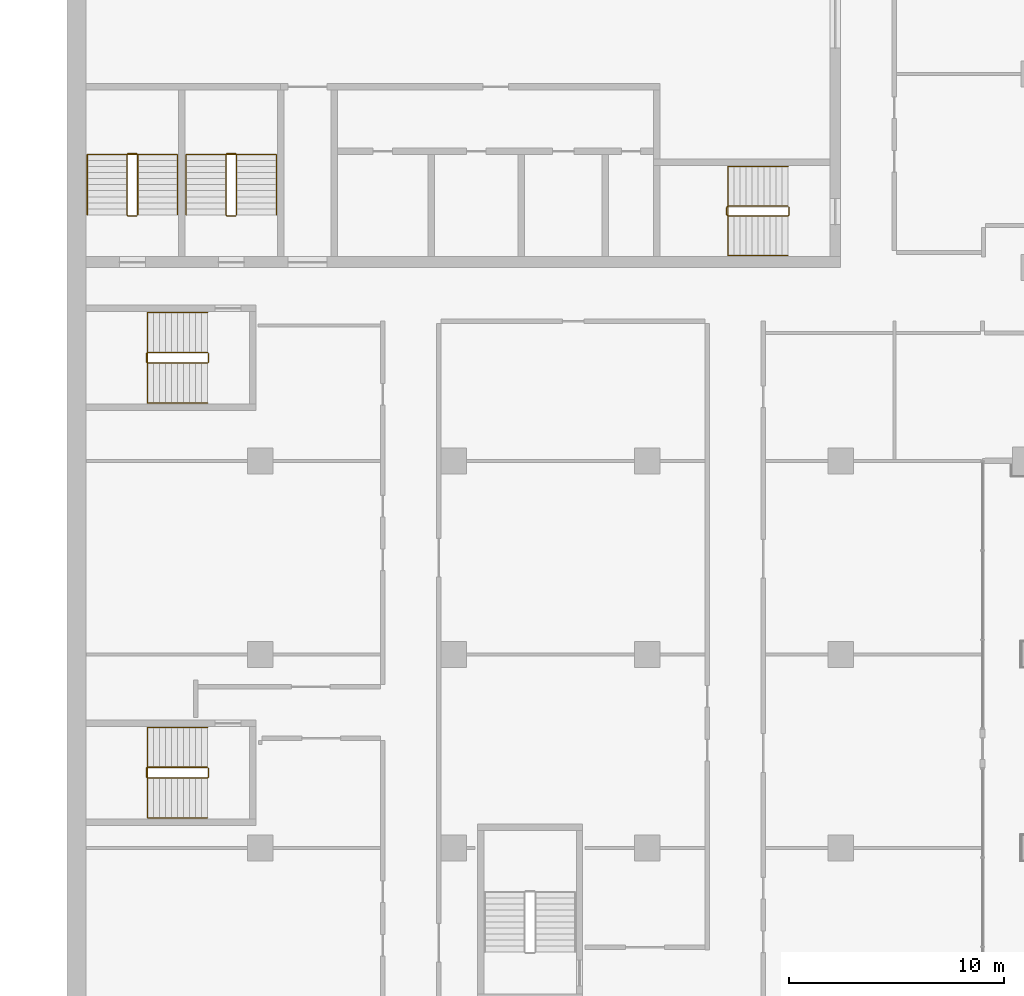
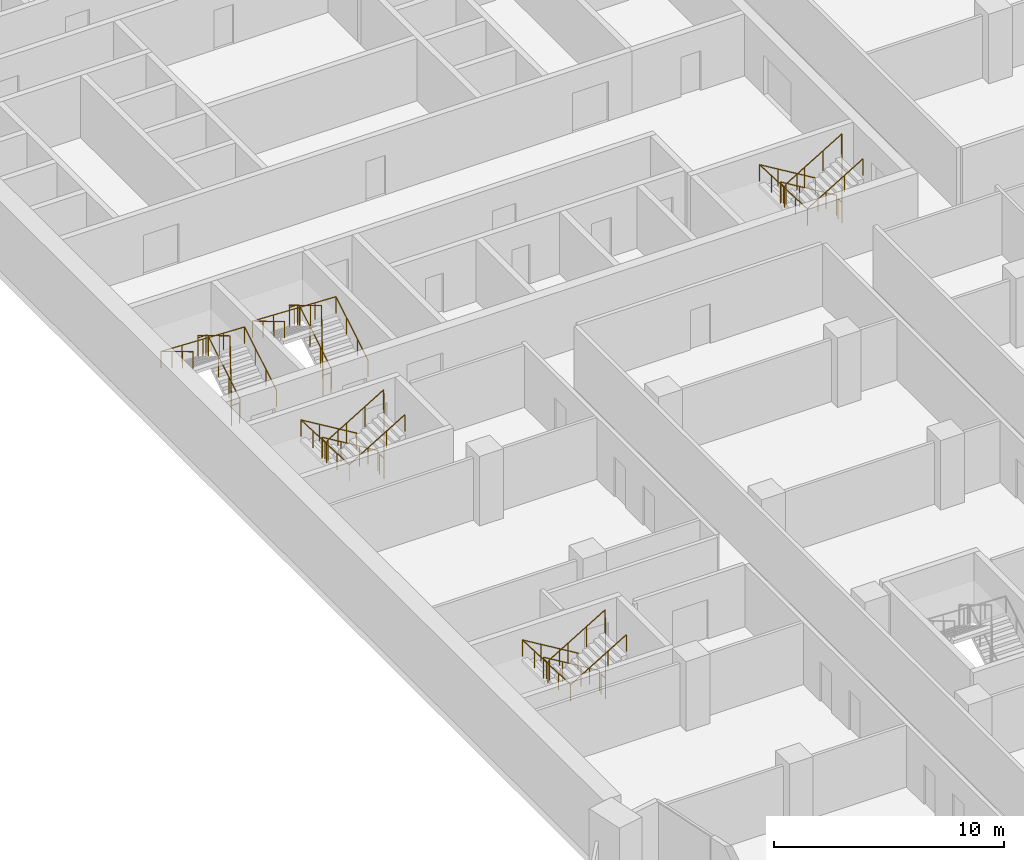
# One storey, part 20 of 22: 10 railings.
"""IFC4 building model written with IfcOpenShell, lengths in metres."""

from ifc_helpers import new_model, si_unit, direction, frame, origin, origin_2d, place, context, subcontext, project, spatial, circle, extrude, material, type_object, element, save


model = new_model("IFC4")

# Units and contexts
model_context = context("Model", 3, precision=1e-05, world=origin(), true_north=direction((0.0, 1.0)))
body_context = subcontext(model_context, "Body", "Model", "MODEL_VIEW")
ifc_project = project(units=[si_unit("LENGTHUNIT", "METRE"), si_unit("AREAUNIT", "SQUARE_METRE"), si_unit("VOLUMEUNIT", "CUBIC_METRE"), si_unit("PLANEANGLEUNIT", "RADIAN"), si_unit("MASSUNIT", "GRAM", prefix="KILO")], contexts=[model_context])

# Site, building, storey
site_placement = place(None, origin())
site = spatial("IfcSite", under=ifc_project, at=site_placement, CompositionType="ELEMENT")
building_placement = place(site_placement, origin())
building = spatial("IfcBuilding", under=site, at=building_placement, Name="Hunhe Ridgeline Campus", CompositionType="ELEMENT")
storey_placement = place(building_placement, frame((0.0, 0.0, 163.39990234375)))
storey = spatial("IfcBuildingStorey", under=building, at=storey_placement, Name="L41", CompositionType="ELEMENT", Elevation=163.39990234375)

# Railings
ifc_material_1 = material(Name="Stainless steel balustrade", Category="steel")
railing_type_1 = type_object("IfcRailingType", Name="Stair guard 1100 stainless", PredefinedType="GUARDRAIL", material=ifc_material_1)
railing_1_placement = place(storey_placement, frame((33.550048828125, 65.85009765625, 0.168212890625)))
element("IfcRailing", 1, at=railing_1_placement, inside=storey, type_object=railing_type_1, Name="L41 stair S2 guard", PredefinedType="GUARDRAIL", context=body_context, shape_type="SweptSolid", body=[
    extrude(circle(Radius=0.02392578125, at=origin_2d()), frame((0.0, 0.0, 1.076171875), z_axis=(-0.857242210791, 0.0, 0.514913383045), x_axis=(0.0, -1.0, 0.0)), (0.0, 0.0, 1.0), 3.266357421875),
    extrude(circle(Radius=0.02392578125, at=origin_2d()), frame((-2.800048828125, 0.0, 2.7578125), z_axis=(-0.707106781187, -0.707106781187, 0.0), x_axis=(0.707106781187, -0.707106781187, 0.0)), (0.0, 0.0, 1.0), 0.07080078125),
    extrude(circle(Radius=0.02392578125, at=origin_2d()), frame((-2.85009765625, -0.050048828125, 2.7578125), z_axis=(0.0, -1.0, 0.0), x_axis=(1.0, 0.0, 0.0)), (0.0, 0.0, 1.0), 0.35009765625),
    extrude(circle(Radius=0.02392578125, at=origin_2d()), frame((-2.85009765625, -0.400146484375, 2.7578125), z_axis=(0.274243871929, -0.274243871929, 0.92172696468), x_axis=(0.707106781187, 0.707106781187, 0.0)), (0.0, 0.0, 1.0), 0.1826171875),
    extrude(circle(Radius=0.02392578125, at=origin_2d()), frame((-2.800048828125, -0.4501953125, 2.92626953125), z_axis=(0.857242210791, 0.0, 0.514913383045), x_axis=(0.0, 1.0, 0.0)), (0.0, 0.0, 1.0), 3.266357421875),
    extrude(circle(Radius=0.02392578125, at=origin_2d()), frame((0.0, -0.4501953125, 4.60791015625), z_axis=(0.013523522368, 0.013523522368, -0.999817097616), x_axis=(-0.707106781187, 0.707106781187, 0.0)), (0.0, 0.0, 1.0), 3.700927734375),
    extrude(circle(Radius=0.02392578125, at=origin_2d()), frame((0.050048828125, -0.400146484375, 0.90771484375), z_axis=(0.0, 1.0, 0.0), x_axis=(-1.0, 0.0, 0.0)), (0.0, 0.0, 1.0), 0.35009765625),
    extrude(circle(Radius=0.02099609375, at=origin_2d()), origin(), (0.0, 0.0, 1.0), 1.052001953125),
    extrude(circle(Radius=0.02099609375, at=origin_2d()), frame((-0.933349609375, 0.0, 0.560546875)), (0.0, 0.0, 1.0), 1.052001953125),
    extrude(circle(Radius=0.02099609375, at=origin_2d()), frame((-1.86669921875, 0.0, 1.121337890625)), (0.0, 0.0, 1.0), 1.052001953125),
    extrude(circle(Radius=0.02099609375, at=origin_2d()), frame((-2.800048828125, 0.0, 1.681884765625)), (0.0, 0.0, 1.0), 1.052001953125),
    extrude(circle(Radius=0.02099609375, at=origin_2d()), frame((-2.85009765625, -0.050048828125, 1.681884765625)), (0.0, 0.0, 1.0), 1.052001953125),
    extrude(circle(Radius=0.02099609375, at=origin_2d()), frame((-2.85009765625, -0.400146484375, 1.681884765625)), (0.0, 0.0, 1.0), 1.052001953125),
    extrude(circle(Radius=0.02099609375, at=origin_2d()), frame((-2.800048828125, -0.4501953125, 1.85009765625)), (0.0, 0.0, 1.0), 1.052001953125),
    extrude(circle(Radius=0.02099609375, at=origin_2d()), frame((-1.86669921875, -0.4501953125, 2.41064453125)), (0.0, 0.0, 1.0), 1.052001953125),
    extrude(circle(Radius=0.02099609375, at=origin_2d()), frame((-0.933349609375, -0.4501953125, 2.971435546875)), (0.0, 0.0, 1.0), 1.052001953125),
    extrude(circle(Radius=0.02099609375, at=origin_2d()), frame((0.0, -0.4501953125, 3.531982421875)), (0.0, 0.0, 1.0), 1.052001953125),
    extrude(circle(Radius=0.02099609375, at=origin_2d()), frame((0.012451171875, -0.437744140625, 2.60693359375)), (0.0, 0.0, 1.0), 1.052001953125),
    extrude(circle(Radius=0.02099609375, at=origin_2d()), frame((0.02490234375, -0.42529296875, 1.681884765625)), (0.0, 0.0, 1.0), 1.052001953125),
    extrude(circle(Radius=0.02099609375, at=origin_2d()), frame((0.03759765625, -0.41259765625, 0.7568359375)), (0.0, 0.0, 1.0), 1.052001953125),
    extrude(circle(Radius=0.02099609375, at=origin_2d()), frame((0.050048828125, -0.400146484375, -0.168212890625)), (0.0, 0.0, 1.0), 1.052001953125),
    extrude(circle(Radius=0.02099609375, at=origin_2d()), frame((0.050048828125, -0.050048828125, -0.168212890625)), (0.0, 0.0, 1.0), 1.052001953125),
])
railing_2_placement = place(storey_placement, frame((3.300048828125, 65.449951171875, 0.168212890625)))
element("IfcRailing", 2, at=railing_2_placement, inside=storey, type_object=railing_type_1, Name="L41 stair S3 guard", PredefinedType="GUARDRAIL", context=body_context, shape_type="SweptSolid", body=[
    extrude(circle(Radius=0.02392578125, at=origin_2d()), frame((0.0, 0.0, 1.076171875), z_axis=(0.0, 0.857242210791, 0.514913383045), x_axis=(-1.0, 0.0, 0.0)), (0.0, 0.0, 1.0), 3.266357421875),
    extrude(circle(Radius=0.02392578125, at=origin_2d()), frame((0.0, 2.800048828125, 2.7578125), z_axis=(-0.707106781187, 0.707106781187, 0.0), x_axis=(-0.707106781187, -0.707106781187, 0.0)), (0.0, 0.0, 1.0), 0.07080078125),
    extrude(circle(Radius=0.02392578125, at=origin_2d()), frame((-0.050048828125, 2.85009765625, 2.7578125), z_axis=(-1.0, 0.0, 0.0), x_axis=(0.0, -1.0, 0.0)), (0.0, 0.0, 1.0), 0.39990234375),
    extrude(circle(Radius=0.02392578125, at=origin_2d()), frame((-0.449951171875, 2.85009765625, 2.7578125), z_axis=(-0.274243871929, -0.274243871929, 0.92172696468), x_axis=(0.707106781187, -0.707106781187, 0.0)), (0.0, 0.0, 1.0), 0.1826171875),
    extrude(circle(Radius=0.02392578125, at=origin_2d()), frame((-0.5, 2.800048828125, 2.92626953125), z_axis=(0.0, -0.857242210791, 0.514913383045), x_axis=(1.0, 0.0, 0.0)), (0.0, 0.0, 1.0), 3.266357421875),
    extrude(circle(Radius=0.02392578125, at=origin_2d()), frame((-0.5, 0.0, 4.60791015625), z_axis=(0.013523522368, -0.013523522368, -0.999817097616), x_axis=(0.707106781187, 0.707106781187, 0.0)), (0.0, 0.0, 1.0), 3.700927734375),
    extrude(circle(Radius=0.02392578125, at=origin_2d()), frame((-0.449951171875, -0.050048828125, 0.90771484375), z_axis=(1.0, 0.0, 0.0), x_axis=(0.0, 1.0, 0.0)), (0.0, 0.0, 1.0), 0.39990234375),
    extrude(circle(Radius=0.02099609375, at=origin_2d()), origin(), (0.0, 0.0, 1.0), 1.052001953125),
    extrude(circle(Radius=0.02099609375, at=origin_2d()), frame((0.0, 0.933349609375, 0.560546875)), (0.0, 0.0, 1.0), 1.052001953125),
    extrude(circle(Radius=0.02099609375, at=origin_2d()), frame((0.0, 1.86669921875, 1.121337890625)), (0.0, 0.0, 1.0), 1.052001953125),
    extrude(circle(Radius=0.02099609375, at=origin_2d()), frame((0.0, 2.800048828125, 1.681884765625)), (0.0, 0.0, 1.0), 1.052001953125),
    extrude(circle(Radius=0.02099609375, at=origin_2d()), frame((-0.050048828125, 2.85009765625, 1.681884765625)), (0.0, 0.0, 1.0), 1.052001953125),
    extrude(circle(Radius=0.02099609375, at=origin_2d()), frame((-0.449951171875, 2.85009765625, 1.681884765625)), (0.0, 0.0, 1.0), 1.052001953125),
    extrude(circle(Radius=0.02099609375, at=origin_2d()), frame((-0.5, 2.800048828125, 1.85009765625)), (0.0, 0.0, 1.0), 1.052001953125),
    extrude(circle(Radius=0.02099609375, at=origin_2d()), frame((-0.5, 1.86669921875, 2.41064453125)), (0.0, 0.0, 1.0), 1.052001953125),
    extrude(circle(Radius=0.02099609375, at=origin_2d()), frame((-0.5, 0.933349609375, 2.971435546875)), (0.0, 0.0, 1.0), 1.052001953125),
    extrude(circle(Radius=0.02099609375, at=origin_2d()), frame((-0.5, 0.0, 3.531982421875)), (0.0, 0.0, 1.0), 1.052001953125),
    extrude(circle(Radius=0.02099609375, at=origin_2d()), frame((-0.487548828125, -0.012451171875, 2.60693359375)), (0.0, 0.0, 1.0), 1.052001953125),
    extrude(circle(Radius=0.02099609375, at=origin_2d()), frame((-0.47509765625, -0.02490234375, 1.681884765625)), (0.0, 0.0, 1.0), 1.052001953125),
    extrude(circle(Radius=0.02099609375, at=origin_2d()), frame((-0.46240234375, -0.03759765625, 0.7568359375)), (0.0, 0.0, 1.0), 1.052001953125),
    extrude(circle(Radius=0.02099609375, at=origin_2d()), frame((-0.449951171875, -0.050048828125, -0.168212890625)), (0.0, 0.0, 1.0), 1.052001953125),
    extrude(circle(Radius=0.02099609375, at=origin_2d()), frame((-0.050048828125, -0.050048828125, -0.168212890625)), (0.0, 0.0, 1.0), 1.052001953125),
])
railing_3_placement = place(storey_placement, frame((7.89990234375, 65.449951171875, 0.168212890625)))
element("IfcRailing", 3, at=railing_3_placement, inside=storey, type_object=railing_type_1, Name="L41 stair S4 guard", PredefinedType="GUARDRAIL", context=body_context, shape_type="SweptSolid", body=[
    extrude(circle(Radius=0.02392578125, at=origin_2d()), frame((0.0, 0.0, 1.076171875), z_axis=(0.0, 0.857242210791, 0.514913383045), x_axis=(-1.0, 0.0, 0.0)), (0.0, 0.0, 1.0), 3.266357421875),
    extrude(circle(Radius=0.02392578125, at=origin_2d()), frame((0.0, 2.800048828125, 2.7578125), z_axis=(-0.705375805398, 0.708833529934, 0.0), x_axis=(-0.708833529934, -0.705375805398, 0.0)), (0.0, 0.0, 1.0), 0.070556640625),
    extrude(circle(Radius=0.02392578125, at=origin_2d()), frame((-0.0498046875, 2.85009765625, 2.7578125), z_axis=(-1.0, 0.0, 0.0), x_axis=(0.0, -1.0, 0.0)), (0.0, 0.0, 1.0), 0.400146484375),
    extrude(circle(Radius=0.02392578125, at=origin_2d()), frame((-0.449951171875, 2.85009765625, 2.7578125), z_axis=(-0.274243871929, -0.274243871929, 0.92172696468), x_axis=(0.707106781187, -0.707106781187, 0.0)), (0.0, 0.0, 1.0), 0.1826171875),
    extrude(circle(Radius=0.02392578125, at=origin_2d()), frame((-0.5, 2.800048828125, 2.92626953125), z_axis=(0.0, -0.857242210791, 0.514913383045), x_axis=(1.0, 0.0, 0.0)), (0.0, 0.0, 1.0), 3.266357421875),
    extrude(circle(Radius=0.02392578125, at=origin_2d()), frame((-0.5, 0.0, 4.60791015625), z_axis=(0.013523522368, -0.013523522368, -0.999817097616), x_axis=(0.707106781187, 0.707106781187, 0.0)), (0.0, 0.0, 1.0), 3.700927734375),
    extrude(circle(Radius=0.02392578125, at=origin_2d()), frame((-0.449951171875, -0.050048828125, 0.90771484375), z_axis=(1.0, 0.0, 0.0), x_axis=(0.0, 1.0, 0.0)), (0.0, 0.0, 1.0), 0.400146484375),
    extrude(circle(Radius=0.02099609375, at=origin_2d()), origin(), (0.0, 0.0, 1.0), 1.052001953125),
    extrude(circle(Radius=0.02099609375, at=origin_2d()), frame((0.0, 0.933349609375, 0.560546875)), (0.0, 0.0, 1.0), 1.052001953125),
    extrude(circle(Radius=0.02099609375, at=origin_2d()), frame((0.0, 1.86669921875, 1.121337890625)), (0.0, 0.0, 1.0), 1.052001953125),
    extrude(circle(Radius=0.02099609375, at=origin_2d()), frame((0.0, 2.800048828125, 1.681884765625)), (0.0, 0.0, 1.0), 1.052001953125),
    extrude(circle(Radius=0.02099609375, at=origin_2d()), frame((-0.0498046875, 2.85009765625, 1.681884765625)), (0.0, 0.0, 1.0), 1.052001953125),
    extrude(circle(Radius=0.02099609375, at=origin_2d()), frame((-0.449951171875, 2.85009765625, 1.681884765625)), (0.0, 0.0, 1.0), 1.052001953125),
    extrude(circle(Radius=0.02099609375, at=origin_2d()), frame((-0.5, 2.800048828125, 1.85009765625)), (0.0, 0.0, 1.0), 1.052001953125),
    extrude(circle(Radius=0.02099609375, at=origin_2d()), frame((-0.5, 1.86669921875, 2.41064453125)), (0.0, 0.0, 1.0), 1.052001953125),
    extrude(circle(Radius=0.02099609375, at=origin_2d()), frame((-0.5, 0.933349609375, 2.971435546875)), (0.0, 0.0, 1.0), 1.052001953125),
    extrude(circle(Radius=0.02099609375, at=origin_2d()), frame((-0.5, 0.0, 3.531982421875)), (0.0, 0.0, 1.0), 1.052001953125),
    extrude(circle(Radius=0.02099609375, at=origin_2d()), frame((-0.487548828125, -0.012451171875, 2.60693359375)), (0.0, 0.0, 1.0), 1.052001953125),
    extrude(circle(Radius=0.02099609375, at=origin_2d()), frame((-0.47509765625, -0.02490234375, 1.681884765625)), (0.0, 0.0, 1.0), 1.052001953125),
    extrude(circle(Radius=0.02099609375, at=origin_2d()), frame((-0.46240234375, -0.03759765625, 0.7568359375)), (0.0, 0.0, 1.0), 1.052001953125),
    extrude(circle(Radius=0.02099609375, at=origin_2d()), frame((-0.449951171875, -0.050048828125, -0.168212890625)), (0.0, 0.0, 1.0), 1.052001953125),
    extrude(circle(Radius=0.02099609375, at=origin_2d()), frame((-0.0498046875, -0.050048828125, -0.168212890625)), (0.0, 0.0, 1.0), 1.052001953125),
])
railing_4_placement = place(storey_placement, frame((6.550048828125, 39.75, 0.168212890625)))
element("IfcRailing", 4, at=railing_4_placement, inside=storey, type_object=railing_type_1, Name="L41 stair W1 guard", PredefinedType="GUARDRAIL", context=body_context, shape_type="SweptSolid", body=[
    extrude(circle(Radius=0.02392578125, at=origin_2d()), frame((0.0, 0.0, 1.076171875), z_axis=(-0.857242210791, 0.0, 0.514913383045), x_axis=(0.0, -1.0, 0.0)), (0.0, 0.0, 1.0), 3.266357421875),
    extrude(circle(Radius=0.02392578125, at=origin_2d()), frame((-2.800048828125, 0.0, 2.7578125), z_axis=(-0.707106781187, -0.707106781187, 0.0), x_axis=(0.707106781187, -0.707106781187, 0.0)), (0.0, 0.0, 1.0), 0.07080078125),
    extrude(circle(Radius=0.02392578125, at=origin_2d()), frame((-2.85009765625, -0.050048828125, 2.7578125), z_axis=(0.0, -1.0, 0.0), x_axis=(1.0, 0.0, 0.0)), (0.0, 0.0, 1.0), 0.39990234375),
    extrude(circle(Radius=0.02392578125, at=origin_2d()), frame((-2.85009765625, -0.449951171875, 2.7578125), z_axis=(0.274243871929, -0.274243871929, 0.92172696468), x_axis=(0.707106781187, 0.707106781187, 0.0)), (0.0, 0.0, 1.0), 0.1826171875),
    extrude(circle(Radius=0.02392578125, at=origin_2d()), frame((-2.800048828125, -0.5, 2.92626953125), z_axis=(0.857242210791, 0.0, 0.514913383045), x_axis=(0.0, 1.0, 0.0)), (0.0, 0.0, 1.0), 3.266357421875),
    extrude(circle(Radius=0.02392578125, at=origin_2d()), frame((0.0, -0.5, 4.60791015625), z_axis=(0.013523522368, 0.013523522368, -0.999817097616), x_axis=(-0.707106781187, 0.707106781187, 0.0)), (0.0, 0.0, 1.0), 3.700927734375),
    extrude(circle(Radius=0.02392578125, at=origin_2d()), frame((0.050048828125, -0.449951171875, 0.90771484375), z_axis=(0.0, 1.0, 0.0), x_axis=(-1.0, 0.0, 0.0)), (0.0, 0.0, 1.0), 0.39990234375),
    extrude(circle(Radius=0.02099609375, at=origin_2d()), origin(), (0.0, 0.0, 1.0), 1.052001953125),
    extrude(circle(Radius=0.02099609375, at=origin_2d()), frame((-0.933349609375, 0.0, 0.560546875)), (0.0, 0.0, 1.0), 1.052001953125),
    extrude(circle(Radius=0.02099609375, at=origin_2d()), frame((-1.86669921875, 0.0, 1.121337890625)), (0.0, 0.0, 1.0), 1.052001953125),
    extrude(circle(Radius=0.02099609375, at=origin_2d()), frame((-2.800048828125, 0.0, 1.681884765625)), (0.0, 0.0, 1.0), 1.052001953125),
    extrude(circle(Radius=0.02099609375, at=origin_2d()), frame((-2.85009765625, -0.050048828125, 1.681884765625)), (0.0, 0.0, 1.0), 1.052001953125),
    extrude(circle(Radius=0.02099609375, at=origin_2d()), frame((-2.85009765625, -0.449951171875, 1.681884765625)), (0.0, 0.0, 1.0), 1.052001953125),
    extrude(circle(Radius=0.02099609375, at=origin_2d()), frame((-2.800048828125, -0.5, 1.85009765625)), (0.0, 0.0, 1.0), 1.052001953125),
    extrude(circle(Radius=0.02099609375, at=origin_2d()), frame((-1.86669921875, -0.5, 2.41064453125)), (0.0, 0.0, 1.0), 1.052001953125),
    extrude(circle(Radius=0.02099609375, at=origin_2d()), frame((-0.933349609375, -0.5, 2.971435546875)), (0.0, 0.0, 1.0), 1.052001953125),
    extrude(circle(Radius=0.02099609375, at=origin_2d()), frame((0.0, -0.5, 3.531982421875)), (0.0, 0.0, 1.0), 1.052001953125),
    extrude(circle(Radius=0.02099609375, at=origin_2d()), frame((0.012451171875, -0.487548828125, 2.60693359375)), (0.0, 0.0, 1.0), 1.052001953125),
    extrude(circle(Radius=0.02099609375, at=origin_2d()), frame((0.02490234375, -0.47509765625, 1.681884765625)), (0.0, 0.0, 1.0), 1.052001953125),
    extrude(circle(Radius=0.02099609375, at=origin_2d()), frame((0.03759765625, -0.46240234375, 0.7568359375)), (0.0, 0.0, 1.0), 1.052001953125),
    extrude(circle(Radius=0.02099609375, at=origin_2d()), frame((0.050048828125, -0.449951171875, -0.168212890625)), (0.0, 0.0, 1.0), 1.052001953125),
    extrude(circle(Radius=0.02099609375, at=origin_2d()), frame((0.050048828125, -0.050048828125, -0.168212890625)), (0.0, 0.0, 1.0), 1.052001953125),
])
railing_5_placement = place(storey_placement, frame((6.550048828125, 59.050048828125, 0.168212890625)))
element("IfcRailing", 5, at=railing_5_placement, inside=storey, type_object=railing_type_1, Name="L41 stair W2 guard", PredefinedType="GUARDRAIL", context=body_context, shape_type="SweptSolid", body=[
    extrude(circle(Radius=0.02392578125, at=origin_2d()), frame((0.0, 0.0, 1.076171875), z_axis=(-0.857242210791, 0.0, 0.514913383045), x_axis=(0.0, -1.0, 0.0)), (0.0, 0.0, 1.0), 3.266357421875),
    extrude(circle(Radius=0.02392578125, at=origin_2d()), frame((-2.800048828125, 0.0, 2.7578125), z_axis=(-0.707106781187, -0.707106781187, 0.0), x_axis=(0.707106781187, -0.707106781187, 0.0)), (0.0, 0.0, 1.0), 0.07080078125),
    extrude(circle(Radius=0.02392578125, at=origin_2d()), frame((-2.85009765625, -0.050048828125, 2.7578125), z_axis=(0.0, -1.0, 0.0), x_axis=(1.0, 0.0, 0.0)), (0.0, 0.0, 1.0), 0.39990234375),
    extrude(circle(Radius=0.02392578125, at=origin_2d()), frame((-2.85009765625, -0.449951171875, 2.7578125), z_axis=(0.274243871929, -0.274243871929, 0.92172696468), x_axis=(0.707106781187, 0.707106781187, 0.0)), (0.0, 0.0, 1.0), 0.1826171875),
    extrude(circle(Radius=0.02392578125, at=origin_2d()), frame((-2.800048828125, -0.5, 2.92626953125), z_axis=(0.857242210791, 0.0, 0.514913383045), x_axis=(0.0, 1.0, 0.0)), (0.0, 0.0, 1.0), 3.266357421875),
    extrude(circle(Radius=0.02392578125, at=origin_2d()), frame((0.0, -0.5, 4.60791015625), z_axis=(0.013523522368, 0.013523522368, -0.999817097616), x_axis=(-0.707106781187, 0.707106781187, 0.0)), (0.0, 0.0, 1.0), 3.700927734375),
    extrude(circle(Radius=0.02392578125, at=origin_2d()), frame((0.050048828125, -0.449951171875, 0.90771484375), z_axis=(0.0, 1.0, 0.0), x_axis=(-1.0, 0.0, 0.0)), (0.0, 0.0, 1.0), 0.39990234375),
    extrude(circle(Radius=0.02099609375, at=origin_2d()), origin(), (0.0, 0.0, 1.0), 1.052001953125),
    extrude(circle(Radius=0.02099609375, at=origin_2d()), frame((-0.933349609375, 0.0, 0.560546875)), (0.0, 0.0, 1.0), 1.052001953125),
    extrude(circle(Radius=0.02099609375, at=origin_2d()), frame((-1.86669921875, 0.0, 1.121337890625)), (0.0, 0.0, 1.0), 1.052001953125),
    extrude(circle(Radius=0.02099609375, at=origin_2d()), frame((-2.800048828125, 0.0, 1.681884765625)), (0.0, 0.0, 1.0), 1.052001953125),
    extrude(circle(Radius=0.02099609375, at=origin_2d()), frame((-2.85009765625, -0.050048828125, 1.681884765625)), (0.0, 0.0, 1.0), 1.052001953125),
    extrude(circle(Radius=0.02099609375, at=origin_2d()), frame((-2.85009765625, -0.449951171875, 1.681884765625)), (0.0, 0.0, 1.0), 1.052001953125),
    extrude(circle(Radius=0.02099609375, at=origin_2d()), frame((-2.800048828125, -0.5, 1.85009765625)), (0.0, 0.0, 1.0), 1.052001953125),
    extrude(circle(Radius=0.02099609375, at=origin_2d()), frame((-1.86669921875, -0.5, 2.41064453125)), (0.0, 0.0, 1.0), 1.052001953125),
    extrude(circle(Radius=0.02099609375, at=origin_2d()), frame((-0.933349609375, -0.5, 2.971435546875)), (0.0, 0.0, 1.0), 1.052001953125),
    extrude(circle(Radius=0.02099609375, at=origin_2d()), frame((0.0, -0.5, 3.531982421875)), (0.0, 0.0, 1.0), 1.052001953125),
    extrude(circle(Radius=0.02099609375, at=origin_2d()), frame((0.012451171875, -0.487548828125, 2.60693359375)), (0.0, 0.0, 1.0), 1.052001953125),
    extrude(circle(Radius=0.02099609375, at=origin_2d()), frame((0.02490234375, -0.47509765625, 1.681884765625)), (0.0, 0.0, 1.0), 1.052001953125),
    extrude(circle(Radius=0.02099609375, at=origin_2d()), frame((0.03759765625, -0.46240234375, 0.7568359375)), (0.0, 0.0, 1.0), 1.052001953125),
    extrude(circle(Radius=0.02099609375, at=origin_2d()), frame((0.050048828125, -0.449951171875, -0.168212890625)), (0.0, 0.0, 1.0), 1.052001953125),
    extrude(circle(Radius=0.02099609375, at=origin_2d()), frame((0.050048828125, -0.050048828125, -0.168212890625)), (0.0, 0.0, 1.0), 1.052001953125),
])
ifc_material_2 = material(Name="Stainless steel handrail", Category="steel")
railing_type_2 = type_object("IfcRailingType", Name="Stair handrail 900 stainless", PredefinedType="HANDRAIL", material=ifc_material_2)
railing_6_placement = place(storey_placement, frame((33.550048828125, 67.699951171875, 0.168212890625)))
element("IfcRailing", 6, at=railing_6_placement, inside=storey, type_object=railing_type_2, Name="L41 stair S2 handrail", PredefinedType="HANDRAIL", context=body_context, shape_type="SweptSolid", body=[
    extrude(circle(Radius=0.02392578125, at=origin_2d()), frame((0.0, 0.0, 0.8759765625), z_axis=(-0.857242210791, 0.0, 0.514913383045), x_axis=(0.0, -1.0, 0.0)), (0.0, 0.0, 1.0), 3.266357421875),
    extrude(circle(Radius=0.02392578125, at=origin_2d()), frame((-2.800048828125, 0.0, 2.5576171875), z_axis=(0.0, -0.99917950104, 0.040500922239), x_axis=(1.0, 0.0, 0.0)), (0.0, 0.0, 1.0), 4.1533203125),
    extrude(circle(Radius=0.02392578125, at=origin_2d()), frame((-2.800048828125, -4.14990234375, 2.72607421875), z_axis=(0.857242210791, 0.0, 0.514913383045), x_axis=(0.0, 1.0, 0.0)), (0.0, 0.0, 1.0), 3.266357421875),
    extrude(circle(Radius=0.02099609375, at=origin_2d()), origin(), (0.0, 0.0, 1.0), 0.851806640625),
    extrude(circle(Radius=0.02099609375, at=origin_2d()), frame((-0.933349609375, 0.0, 0.560546875)), (0.0, 0.0, 1.0), 0.851806640625),
    extrude(circle(Radius=0.02099609375, at=origin_2d()), frame((-1.86669921875, 0.0, 1.121337890625)), (0.0, 0.0, 1.0), 0.851806640625),
    extrude(circle(Radius=0.02099609375, at=origin_2d()), frame((-2.800048828125, 0.0, 1.681884765625)), (0.0, 0.0, 1.0), 0.851806640625),
    extrude(circle(Radius=0.02099609375, at=origin_2d()), frame((-2.800048828125, -1.03759765625, 1.723876953125)), (0.0, 0.0, 1.0), 0.851806640625),
    extrude(circle(Radius=0.02099609375, at=origin_2d()), frame((-2.800048828125, -2.074951171875, 1.76611328125)), (0.0, 0.0, 1.0), 0.851806640625),
    extrude(circle(Radius=0.02099609375, at=origin_2d()), frame((-2.800048828125, -3.1123046875, 1.80810546875)), (0.0, 0.0, 1.0), 0.851806640625),
    extrude(circle(Radius=0.02099609375, at=origin_2d()), frame((-2.800048828125, -4.14990234375, 1.85009765625)), (0.0, 0.0, 1.0), 0.851806640625),
    extrude(circle(Radius=0.02099609375, at=origin_2d()), frame((-1.86669921875, -4.14990234375, 2.41064453125)), (0.0, 0.0, 1.0), 0.851806640625),
    extrude(circle(Radius=0.02099609375, at=origin_2d()), frame((-0.933349609375, -4.14990234375, 2.971435546875)), (0.0, 0.0, 1.0), 0.851806640625),
    extrude(circle(Radius=0.02099609375, at=origin_2d()), frame((0.0, -4.14990234375, 3.531982421875)), (0.0, 0.0, 1.0), 0.851806640625),
])
railing_7_placement = place(storey_placement, frame((5.14990234375, 65.449951171875, 0.168212890625)))
element("IfcRailing", 7, at=railing_7_placement, inside=storey, type_object=railing_type_2, Name="L41 stair S3 handrail", PredefinedType="HANDRAIL", context=body_context, shape_type="SweptSolid", body=[
    extrude(circle(Radius=0.02392578125, at=origin_2d()), frame((0.0, 0.0, 0.8759765625), z_axis=(0.0, 0.857242210791, 0.514913383045), x_axis=(-1.0, 0.0, 0.0)), (0.0, 0.0, 1.0), 3.266357421875),
    extrude(circle(Radius=0.02392578125, at=origin_2d()), frame((0.0, 2.800048828125, 2.5576171875), z_axis=(-0.999198916169, 0.0, 0.040019069537), x_axis=(0.0, -1.0, 0.0)), (0.0, 0.0, 1.0), 4.203369140625),
    extrude(circle(Radius=0.02392578125, at=origin_2d()), frame((-4.199951171875, 2.800048828125, 2.72607421875), z_axis=(0.0, -0.857242210791, 0.514913383045), x_axis=(1.0, 0.0, 0.0)), (0.0, 0.0, 1.0), 3.266357421875),
    extrude(circle(Radius=0.02099609375, at=origin_2d()), origin(), (0.0, 0.0, 1.0), 0.851806640625),
    extrude(circle(Radius=0.02099609375, at=origin_2d()), frame((0.0, 0.933349609375, 0.560546875)), (0.0, 0.0, 1.0), 0.851806640625),
    extrude(circle(Radius=0.02099609375, at=origin_2d()), frame((0.0, 1.86669921875, 1.121337890625)), (0.0, 0.0, 1.0), 0.851806640625),
    extrude(circle(Radius=0.02099609375, at=origin_2d()), frame((0.0, 2.800048828125, 1.681884765625)), (0.0, 0.0, 1.0), 0.851806640625),
    extrude(circle(Radius=0.02099609375, at=origin_2d()), frame((-1.050048828125, 2.800048828125, 1.723876953125)), (0.0, 0.0, 1.0), 0.851806640625),
    extrude(circle(Radius=0.02099609375, at=origin_2d()), frame((-2.10009765625, 2.800048828125, 1.76611328125)), (0.0, 0.0, 1.0), 0.851806640625),
    extrude(circle(Radius=0.02099609375, at=origin_2d()), frame((-3.14990234375, 2.800048828125, 1.80810546875)), (0.0, 0.0, 1.0), 0.851806640625),
    extrude(circle(Radius=0.02099609375, at=origin_2d()), frame((-4.199951171875, 2.800048828125, 1.85009765625)), (0.0, 0.0, 1.0), 0.851806640625),
    extrude(circle(Radius=0.02099609375, at=origin_2d()), frame((-4.199951171875, 1.86669921875, 2.41064453125)), (0.0, 0.0, 1.0), 0.851806640625),
    extrude(circle(Radius=0.02099609375, at=origin_2d()), frame((-4.199951171875, 0.933349609375, 2.971435546875)), (0.0, 0.0, 1.0), 0.851806640625),
    extrude(circle(Radius=0.02099609375, at=origin_2d()), frame((-4.199951171875, 0.0, 3.531982421875)), (0.0, 0.0, 1.0), 0.851806640625),
])
railing_8_placement = place(storey_placement, frame((9.75, 65.449951171875, 0.168212890625)))
element("IfcRailing", 8, at=railing_8_placement, inside=storey, type_object=railing_type_2, Name="L41 stair S4 handrail", PredefinedType="HANDRAIL", context=body_context, shape_type="SweptSolid", body=[
    extrude(circle(Radius=0.02392578125, at=origin_2d()), frame((0.0, 0.0, 0.8759765625), z_axis=(0.0, 0.857242210791, 0.514913383045), x_axis=(-1.0, 0.0, 0.0)), (0.0, 0.0, 1.0), 3.266357421875),
    extrude(circle(Radius=0.02392578125, at=origin_2d()), frame((0.0, 2.800048828125, 2.5576171875), z_axis=(-0.999198916169, 0.0, 0.040019069537), x_axis=(0.0, -1.0, 0.0)), (0.0, 0.0, 1.0), 4.203369140625),
    extrude(circle(Radius=0.02392578125, at=origin_2d()), frame((-4.199951171875, 2.800048828125, 2.72607421875), z_axis=(0.0, -0.857242210791, 0.514913383045), x_axis=(1.0, 0.0, 0.0)), (0.0, 0.0, 1.0), 3.266357421875),
    extrude(circle(Radius=0.02099609375, at=origin_2d()), origin(), (0.0, 0.0, 1.0), 0.851806640625),
    extrude(circle(Radius=0.02099609375, at=origin_2d()), frame((0.0, 0.933349609375, 0.560546875)), (0.0, 0.0, 1.0), 0.851806640625),
    extrude(circle(Radius=0.02099609375, at=origin_2d()), frame((0.0, 1.86669921875, 1.121337890625)), (0.0, 0.0, 1.0), 0.851806640625),
    extrude(circle(Radius=0.02099609375, at=origin_2d()), frame((0.0, 2.800048828125, 1.681884765625)), (0.0, 0.0, 1.0), 0.851806640625),
    extrude(circle(Radius=0.02099609375, at=origin_2d()), frame((-1.050048828125, 2.800048828125, 1.723876953125)), (0.0, 0.0, 1.0), 0.851806640625),
    extrude(circle(Radius=0.02099609375, at=origin_2d()), frame((-2.10009765625, 2.800048828125, 1.76611328125)), (0.0, 0.0, 1.0), 0.851806640625),
    extrude(circle(Radius=0.02099609375, at=origin_2d()), frame((-3.14990234375, 2.800048828125, 1.80810546875)), (0.0, 0.0, 1.0), 0.851806640625),
    extrude(circle(Radius=0.02099609375, at=origin_2d()), frame((-4.199951171875, 2.800048828125, 1.85009765625)), (0.0, 0.0, 1.0), 0.851806640625),
    extrude(circle(Radius=0.02099609375, at=origin_2d()), frame((-4.199951171875, 1.86669921875, 2.41064453125)), (0.0, 0.0, 1.0), 0.851806640625),
    extrude(circle(Radius=0.02099609375, at=origin_2d()), frame((-4.199951171875, 0.933349609375, 2.971435546875)), (0.0, 0.0, 1.0), 0.851806640625),
    extrude(circle(Radius=0.02099609375, at=origin_2d()), frame((-4.199951171875, 0.0, 3.531982421875)), (0.0, 0.0, 1.0), 0.851806640625),
])
railing_9_placement = place(storey_placement, frame((6.550048828125, 41.60009765625, 0.168212890625)))
element("IfcRailing", 9, at=railing_9_placement, inside=storey, type_object=railing_type_2, Name="L41 stair W1 handrail", PredefinedType="HANDRAIL", context=body_context, shape_type="SweptSolid", body=[
    extrude(circle(Radius=0.02392578125, at=origin_2d()), frame((0.0, 0.0, 0.8759765625), z_axis=(-0.857242210791, 0.0, 0.514913383045), x_axis=(0.0, -1.0, 0.0)), (0.0, 0.0, 1.0), 3.266357421875),
    extrude(circle(Radius=0.02392578125, at=origin_2d()), frame((-2.800048828125, 0.0, 2.5576171875), z_axis=(0.0, -0.999199009182, 0.040016747113), x_axis=(1.0, 0.0, 0.0)), (0.0, 0.0, 1.0), 4.20361328125),
    extrude(circle(Radius=0.02392578125, at=origin_2d()), frame((-2.800048828125, -4.2001953125, 2.72607421875), z_axis=(0.857242210791, 0.0, 0.514913383045), x_axis=(0.0, 1.0, 0.0)), (0.0, 0.0, 1.0), 3.266357421875),
    extrude(circle(Radius=0.02099609375, at=origin_2d()), origin(), (0.0, 0.0, 1.0), 0.851806640625),
    extrude(circle(Radius=0.02099609375, at=origin_2d()), frame((-0.933349609375, 0.0, 0.560546875)), (0.0, 0.0, 1.0), 0.851806640625),
    extrude(circle(Radius=0.02099609375, at=origin_2d()), frame((-1.86669921875, 0.0, 1.121337890625)), (0.0, 0.0, 1.0), 0.851806640625),
    extrude(circle(Radius=0.02099609375, at=origin_2d()), frame((-2.800048828125, 0.0, 1.681884765625)), (0.0, 0.0, 1.0), 0.851806640625),
    extrude(circle(Radius=0.02099609375, at=origin_2d()), frame((-2.800048828125, -1.050048828125, 1.723876953125)), (0.0, 0.0, 1.0), 0.851806640625),
    extrude(circle(Radius=0.02099609375, at=origin_2d()), frame((-2.800048828125, -2.10009765625, 1.76611328125)), (0.0, 0.0, 1.0), 0.851806640625),
    extrude(circle(Radius=0.02099609375, at=origin_2d()), frame((-2.800048828125, -3.150146484375, 1.80810546875)), (0.0, 0.0, 1.0), 0.851806640625),
    extrude(circle(Radius=0.02099609375, at=origin_2d()), frame((-2.800048828125, -4.2001953125, 1.85009765625)), (0.0, 0.0, 1.0), 0.851806640625),
    extrude(circle(Radius=0.02099609375, at=origin_2d()), frame((-1.86669921875, -4.2001953125, 2.41064453125)), (0.0, 0.0, 1.0), 0.851806640625),
    extrude(circle(Radius=0.02099609375, at=origin_2d()), frame((-0.933349609375, -4.2001953125, 2.971435546875)), (0.0, 0.0, 1.0), 0.851806640625),
    extrude(circle(Radius=0.02099609375, at=origin_2d()), frame((0.0, -4.2001953125, 3.531982421875)), (0.0, 0.0, 1.0), 0.851806640625),
])
railing_10_placement = place(storey_placement, frame((6.550048828125, 60.89990234375, 0.168212890625)))
element("IfcRailing", 10, at=railing_10_placement, inside=storey, type_object=railing_type_2, Name="L41 stair W2 handrail", PredefinedType="HANDRAIL", context=body_context, shape_type="SweptSolid", body=[
    extrude(circle(Radius=0.02392578125, at=origin_2d()), frame((0.0, 0.0, 0.8759765625), z_axis=(-0.857242210791, 0.0, 0.514913383045), x_axis=(0.0, -1.0, 0.0)), (0.0, 0.0, 1.0), 3.266357421875),
    extrude(circle(Radius=0.02392578125, at=origin_2d()), frame((-2.800048828125, 0.0, 2.5576171875), z_axis=(0.0, -0.999198916169, 0.040019069537), x_axis=(1.0, 0.0, 0.0)), (0.0, 0.0, 1.0), 4.203369140625),
    extrude(circle(Radius=0.02392578125, at=origin_2d()), frame((-2.800048828125, -4.199951171875, 2.72607421875), z_axis=(0.857242210791, 0.0, 0.514913383045), x_axis=(0.0, 1.0, 0.0)), (0.0, 0.0, 1.0), 3.266357421875),
    extrude(circle(Radius=0.02099609375, at=origin_2d()), origin(), (0.0, 0.0, 1.0), 0.851806640625),
    extrude(circle(Radius=0.02099609375, at=origin_2d()), frame((-0.933349609375, 0.0, 0.560546875)), (0.0, 0.0, 1.0), 0.851806640625),
    extrude(circle(Radius=0.02099609375, at=origin_2d()), frame((-1.86669921875, 0.0, 1.121337890625)), (0.0, 0.0, 1.0), 0.851806640625),
    extrude(circle(Radius=0.02099609375, at=origin_2d()), frame((-2.800048828125, 0.0, 1.681884765625)), (0.0, 0.0, 1.0), 0.851806640625),
    extrude(circle(Radius=0.02099609375, at=origin_2d()), frame((-2.800048828125, -1.050048828125, 1.723876953125)), (0.0, 0.0, 1.0), 0.851806640625),
    extrude(circle(Radius=0.02099609375, at=origin_2d()), frame((-2.800048828125, -2.10009765625, 1.76611328125)), (0.0, 0.0, 1.0), 0.851806640625),
    extrude(circle(Radius=0.02099609375, at=origin_2d()), frame((-2.800048828125, -3.14990234375, 1.80810546875)), (0.0, 0.0, 1.0), 0.851806640625),
    extrude(circle(Radius=0.02099609375, at=origin_2d()), frame((-2.800048828125, -4.199951171875, 1.85009765625)), (0.0, 0.0, 1.0), 0.851806640625),
    extrude(circle(Radius=0.02099609375, at=origin_2d()), frame((-1.86669921875, -4.199951171875, 2.41064453125)), (0.0, 0.0, 1.0), 0.851806640625),
    extrude(circle(Radius=0.02099609375, at=origin_2d()), frame((-0.933349609375, -4.199951171875, 2.971435546875)), (0.0, 0.0, 1.0), 0.851806640625),
    extrude(circle(Radius=0.02099609375, at=origin_2d()), frame((0.0, -4.199951171875, 3.531982421875)), (0.0, 0.0, 1.0), 0.851806640625),
])

save(model, "model.ifc")
